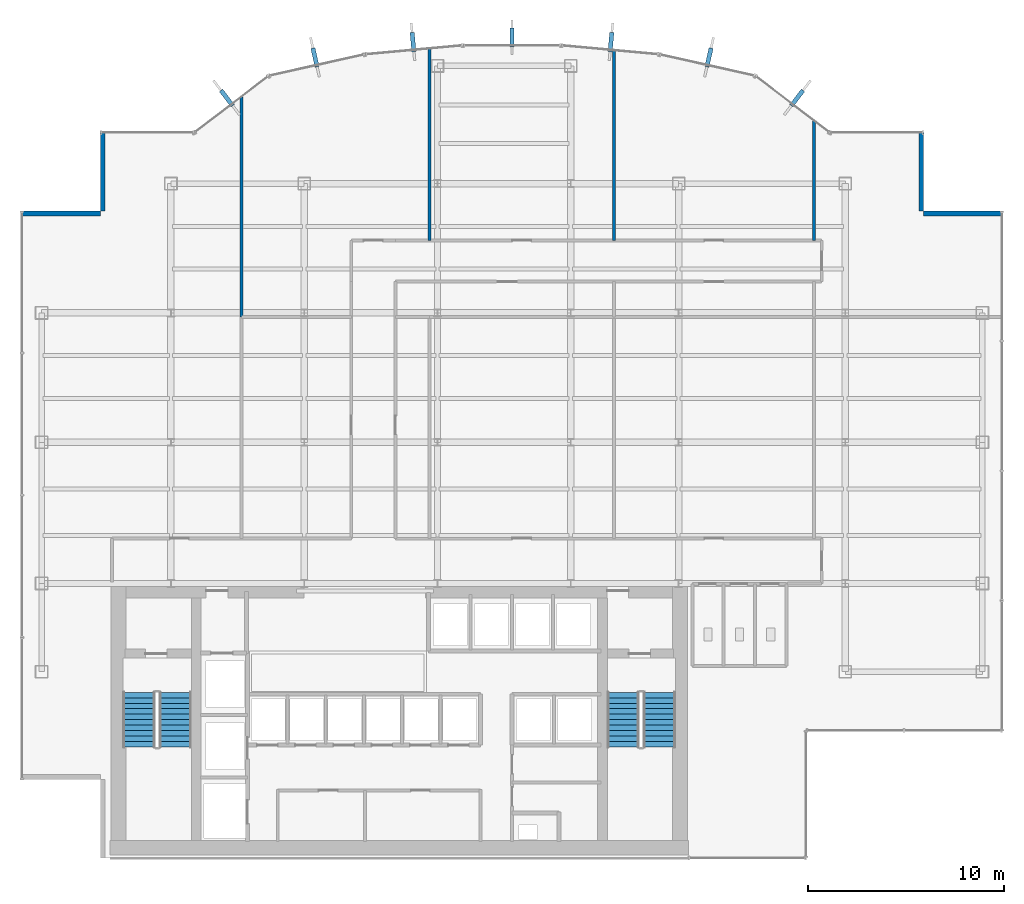
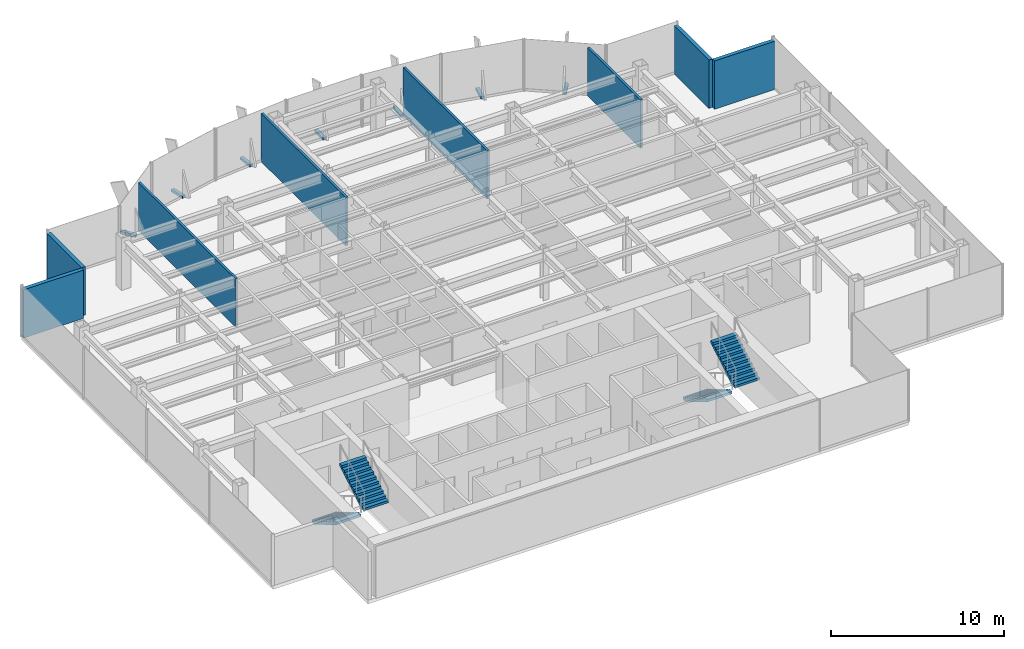
# One storey, part 22 of 25: 8 walls, 7 discrete accessories, 4 stair flights, 2 elements without a shape of their own.
"""IFC4 building model written with IfcOpenShell, lengths in metres."""

from ifc_helpers import new_model, si_unit, derived_unit, direction, frame, frame_2d, origin, origin_2d, place, context, subcontext, project, spatial, polyline, rectangle, outline, extrude, source, transform, mapped, material, layer, layer_set, type_object, element, aggregate, save


model = new_model("IFC4")

# Units and contexts
model_context = context("Model", 3, precision=1e-05, world=origin(), true_north=direction((0.0, 1.0)))
body_context = subcontext(model_context, "Body", "Model", "MODEL_VIEW")
ifc_project = project(units=[si_unit("LENGTHUNIT", "METRE"), si_unit("AREAUNIT", "SQUARE_METRE"), si_unit("VOLUMEUNIT", "CUBIC_METRE"), si_unit("PLANEANGLEUNIT", "RADIAN"), si_unit("MASSUNIT", "GRAM", prefix="KILO"), derived_unit("THERMALTRANSMITTANCEUNIT", [(si_unit("POWERUNIT", "WATT"), 1), (si_unit("LENGTHUNIT", "METRE"), -2), (si_unit("THERMODYNAMICTEMPERATUREUNIT", "KELVIN"), -1)])], contexts=[model_context])

# Site, building, storey
site_placement = place(None, origin())
site = spatial("IfcSite", under=ifc_project, at=site_placement, CompositionType="ELEMENT")
building_placement = place(site_placement, origin())
building = spatial("IfcBuilding", under=site, at=building_placement, Name="Skarnbrae Concourse Arena and Tower", CompositionType="ELEMENT")
storey_placement = place(building_placement, frame((0.0, 0.0, 173.449951171875)))
storey = spatial("IfcBuildingStorey", under=building, at=storey_placement, Name="L44", CompositionType="ELEMENT", Elevation=173.449951171875)

# Walls
ifc_material_1 = material(Name="Precast concrete 40 MPa (C40/50)", Category="concrete")
ifc_layer_1 = layer(ifc_material_1, 0.25)
ifc_layer_set_1 = layer_set([ifc_layer_1], Name="Precast concrete 40 MPa (C40/50)")
wall_type_1 = type_object("IfcWallType", Name="WALL-EXT-SPANDREL-250", PredefinedType="STANDARD", material=ifc_layer_set_1)
shared_shape_1 = source(origin(), body_context, "Body", "SweptSolid", [
    extrude(rectangle(XDim=4.0, YDim=0.25, at=frame_2d((2.0, 0.0))), origin(), (0.0, 0.0, 1.0), 3.400146484375),
])
for number, where, z_axis, x_axis, name in (
    (1, (50.0, 32.875, 0.0), (0.0, 0.0, 1.0), (-1.0, 0.0, 0.0), "L44 Notched corner insulated return wall 05"),
    (2, (45.875, 33.0, 0.0), (0.0, 0.0, 1.0), (0.0, 1.0, 0.0), "L44 Notched corner insulated return wall 06"),
    (3, (4.125, 37.0, 0.0), (0.0, 0.0, 1.0), (0.0, -1.0, 0.0), "L44 Notched corner insulated return wall 16"),
    (4, (4.0, 32.875, 0.0), (0.0, 0.0, 1.0), (-1.0, 0.0, 0.0), "L44 Notched corner insulated return wall 17"),
):
    element("IfcWall", number, at=place(storey_placement, frame(where, z_axis=z_axis, x_axis=x_axis)), inside=storey, type_object=wall_type_1, Name=name, PredefinedType="STANDARD", context=body_context, shape_type="MappedRepresentation", body=[
        mapped(shared_shape_1, transform((0.0, 0.0, 0.0))),
    ])
ifc_material_2 = material(Name="Gypsum board on cold-formed steel studs", Category="steel")
ifc_layer_2 = layer(ifc_material_2, 0.14990234375)
ifc_layer_set_2 = layer_set([ifc_layer_2], Name="Gypsum board on cold-formed steel studs")
wall_type_2 = type_object("IfcWallType", Name="WALL-PART-150", PredefinedType="PARTITIONING", material=ifc_layer_set_2)
shared_shape_2 = source(origin(), body_context, "Body", "SweptSolid", [
    extrude(rectangle(XDim=11.206298828125, YDim=0.14990234375, at=frame_2d((5.60302734375, 0.0))), origin(), (0.0, 0.0, 1.0), 3.400146484375),
])
wall_1_placement = place(storey_placement, frame((11.199951171875, 38.806396484375, 0.0), z_axis=(0.0, 0.0, 1.0), x_axis=(0.0, -1.0, 0.0)))
element("IfcWall", 5, at=wall_1_placement, inside=storey, type_object=wall_type_2, Name="L44 Interior partition wall W-L44-DEM-15", PredefinedType="PARTITIONING", context=body_context, shape_type="MappedRepresentation", body=[
    mapped(shared_shape_2, transform((0.0, 0.0, 0.0))),
])
shared_shape_3 = source(origin(), body_context, "Body", "SweptSolid", [
    extrude(rectangle(XDim=9.7705078125, YDim=0.14990234375, at=frame_2d((4.88525390625, 0.0))), origin(), (0.0, 0.0, 1.0), 3.400146484375),
])
wall_2_placement = place(storey_placement, frame((20.800048828125, 41.2705078125, 0.0), z_axis=(0.0, 0.0, 1.0), x_axis=(0.0, -1.0, 0.0)))
element("IfcWall", 6, at=wall_2_placement, inside=storey, type_object=wall_type_2, Name="L44 Interior partition wall W-L44-DEM-19", PredefinedType="PARTITIONING", context=body_context, shape_type="MappedRepresentation", body=[
    mapped(shared_shape_3, transform((0.0, 0.0, 0.0))),
])
shared_shape_4 = source(origin(), body_context, "Body", "SweptSolid", [
    extrude(rectangle(XDim=9.678955078125, YDim=0.14990234375, at=frame_2d((4.83935546875, 0.0))), origin(), (0.0, 0.0, 1.0), 3.400146484375),
])
wall_3_placement = place(storey_placement, frame((30.199951171875, 41.178955078125, 0.0), z_axis=(0.0, 0.0, 1.0), x_axis=(0.0, -1.0, 0.0)))
element("IfcWall", 7, at=wall_3_placement, inside=storey, type_object=wall_type_2, Name="L44 Interior partition wall W-L44-DEM-23", PredefinedType="PARTITIONING", context=body_context, shape_type="MappedRepresentation", body=[
    mapped(shared_shape_4, transform((0.0, 0.0, 0.0))),
])
shared_shape_5 = source(origin(), body_context, "Body", "SweptSolid", [
    extrude(rectangle(XDim=6.08544921875, YDim=0.14990234375, at=frame_2d((3.042724609375, 0.0))), origin(), (0.0, 0.0, 1.0), 3.400146484375),
])
wall_4_placement = place(storey_placement, frame((40.39990234375, 37.58544921875, 0.0), z_axis=(0.0, 0.0, 1.0), x_axis=(0.0, -1.0, 0.0)))
element("IfcWall", 8, at=wall_4_placement, inside=storey, type_object=wall_type_2, Name="L44 Interior partition wall W-L44-DEM-27", PredefinedType="PARTITIONING", context=body_context, shape_type="MappedRepresentation", body=[
    mapped(shared_shape_5, transform((0.0, 0.0, 0.0))),
])

# Stair, stair flights
ifc_material_3 = material(Name="Concrete 40 MPa (C40/50)", Category="concrete")
stair_type = type_object("IfcStairType", Name="STAIR-DOGLEG-1650", PredefinedType="HALF_TURN_STAIR", material=ifc_material_3)
stair_1_placement = place(storey_placement, origin())
stair_1 = element("IfcStair", 9, at=stair_1_placement, inside=storey, type_object=stair_type, Name="L44 Protected Exit Stair ST-1", PredefinedType="HALF_TURN_STAIR")
stair_flight_type = type_object("IfcStairFlightType", Name="FLIGHT-STRAIGHT-1650", PredefinedType="STRAIGHT", material=ifc_material_3)
shared_shape_6 = source(origin(), body_context, "Body", "SweptSolid", [
    extrude(outline(polyline([(0.0, 0.0), (0.0, 0.166015625), (0.280029296875, 0.166015625), (0.280029296875, 0.331787109375), (0.56005859375, 0.331787109375), (0.56005859375, 0.497802734375), (0.840087890625, 0.497802734375), (0.840087890625, 0.66357421875), (1.1201171875, 0.66357421875), (1.1201171875, 0.82958984375), (1.39990234375, 0.82958984375), (1.39990234375, 0.995361328125), (1.679931640625, 0.995361328125), (1.679931640625, 1.161376953125), (1.9599609375, 1.161376953125), (1.9599609375, 1.327392578125), (2.239990234375, 1.327392578125), (2.239990234375, 1.4931640625), (2.52001953125, 1.4931640625), (2.52001953125, 1.6591796875), (2.800048828125, 1.6591796875), (2.800048828125, 1.824951171875), (2.800048828125, 1.48486328125), (0.2939453125, 0.0), (0.0, 0.0)])), frame((0.0, 0.824951171875, 0.0), z_axis=(0.0, -1.0, 0.0), x_axis=(1.0, 0.0, 0.0)), (0.0, 0.0, 1.0), 1.64990234375),
])
stair_flight_1_placement = place(storey_placement, frame((5.97509765625, 8.449951171875, 0.0), z_axis=(0.0, 0.0, 1.0), x_axis=(0.0, -1.0, 0.0)))
stair_flight_1 = element("IfcStairFlight", 10, at=stair_flight_1_placement, type_object=stair_flight_type, Name="ST-1 flight 1", NumberOfRisers=11, NumberOfTreads=10, PredefinedType="STRAIGHT", RiserHeight=0.165909091, TreadLength=0.28, context=body_context, shape_type="MappedRepresentation", body=[
    mapped(shared_shape_6, transform((0.0, 0.0, 0.0))),
])
stair_flight_2_placement = place(storey_placement, frame((7.824951171875, 5.64990234375, 1.824951171875), z_axis=(0.0, 0.0, 1.0), x_axis=(0.0, 1.0, 0.0)))
stair_flight_2 = element("IfcStairFlight", 11, at=stair_flight_2_placement, type_object=stair_flight_type, Name="ST-1 flight 2", NumberOfRisers=11, NumberOfTreads=10, PredefinedType="STRAIGHT", RiserHeight=0.165909091, TreadLength=0.28, context=body_context, shape_type="MappedRepresentation", body=[
    mapped(shared_shape_6, transform((0.0, 0.0, 0.0))),
])
aggregate(stair_1, [stair_flight_1, stair_flight_2])

stair_2_placement = place(storey_placement, origin())
stair_2 = element("IfcStair", 12, at=stair_2_placement, inside=storey, type_object=stair_type, Name="L44 Protected Exit Stair ST-2", PredefinedType="HALF_TURN_STAIR")
stair_flight_3_placement = place(storey_placement, frame((30.675048828125, 8.449951171875, 0.0), z_axis=(0.0, 0.0, 1.0), x_axis=(0.0, -1.0, 0.0)))
stair_flight_3 = element("IfcStairFlight", 13, at=stair_flight_3_placement, type_object=stair_flight_type, Name="ST-2 flight 1", NumberOfRisers=11, NumberOfTreads=10, PredefinedType="STRAIGHT", RiserHeight=0.165909091, TreadLength=0.28, context=body_context, shape_type="MappedRepresentation", body=[
    mapped(shared_shape_6, transform((0.0, 0.0, 0.0))),
])
stair_flight_4_placement = place(storey_placement, frame((32.52490234375, 5.64990234375, 1.824951171875), z_axis=(0.0, 0.0, 1.0), x_axis=(0.0, 1.0, 0.0)))
stair_flight_4 = element("IfcStairFlight", 14, at=stair_flight_4_placement, type_object=stair_flight_type, Name="ST-2 flight 2", NumberOfRisers=11, NumberOfTreads=10, PredefinedType="STRAIGHT", RiserHeight=0.165909091, TreadLength=0.28, context=body_context, shape_type="MappedRepresentation", body=[
    mapped(shared_shape_6, transform((0.0, 0.0, 0.0))),
])
aggregate(stair_2, [stair_flight_3, stair_flight_4])

# Discrete accessories
ifc_material_4 = material(Name="Bronze anodised aluminium 6063-T6", Category="aluminium")
discrete_accessory_type = type_object("IfcDiscreteAccessoryType", Name="ACC-FIN-BRACKET", PredefinedType="BRACKET", material=ifc_material_4)
shared_shape_7 = source(origin(), body_context, "Body", "SweptSolid", [
    extrude(rectangle(XDim=0.219970703125, YDim=0.97998046875, at=origin_2d()), origin(), (0.0, 0.0, 1.0), 0.179931640625),
])
for number, where, z_axis, x_axis, name in (
    (15, (39.54736328125, 38.764404296875, -0.02978515625), (0.0, 0.0, 1.0), (0.794954941871, -0.606668476513, 0.0), "L44 Bronze fin foot support bracket 08"),
    (16, (35.048095703125, 40.830078125, -0.02978515625), (0.0, 0.0, 1.0), (0.975935794812, -0.218058075762, 0.0), "L44 Bronze fin foot support bracket 09"),
    (17, (30.04833984375, 41.614501953125, -0.02978515625), (0.0, 0.0, 1.0), (0.99581928833, -0.091345196863, 0.0), "L44 Bronze fin foot support bracket 10"),
    (18, (25.0, 41.845703125, -0.02978515625), (0.0, 0.0, 1.0), (1.0, 0.0, 0.0), "L44 Bronze fin foot support bracket 11"),
    (19, (19.95166015625, 41.614501953125, -0.02978515625), (0.0, 0.0, 1.0), (0.99581928833, 0.091345196863, 0.0), "L44 Bronze fin foot support bracket 12"),
    (20, (14.951904296875, 40.830078125, -0.02978515625), (0.0, 0.0, 1.0), (0.975935794812, 0.218058075762, 0.0), "L44 Bronze fin foot support bracket 13"),
    (21, (10.45263671875, 38.764404296875, -0.02978515625), (0.0, 0.0, 1.0), (0.794954941871, 0.606668476513, 0.0), "L44 Bronze fin foot support bracket 14"),
):
    element("IfcDiscreteAccessory", number, at=place(storey_placement, frame(where, z_axis=z_axis, x_axis=x_axis)), inside=storey, type_object=discrete_accessory_type, Name=name, PredefinedType="BRACKET", context=body_context, shape_type="MappedRepresentation", body=[
        mapped(shared_shape_7, transform((0.0, 0.0, 0.0))),
    ])

save(model, "model.ifc")
